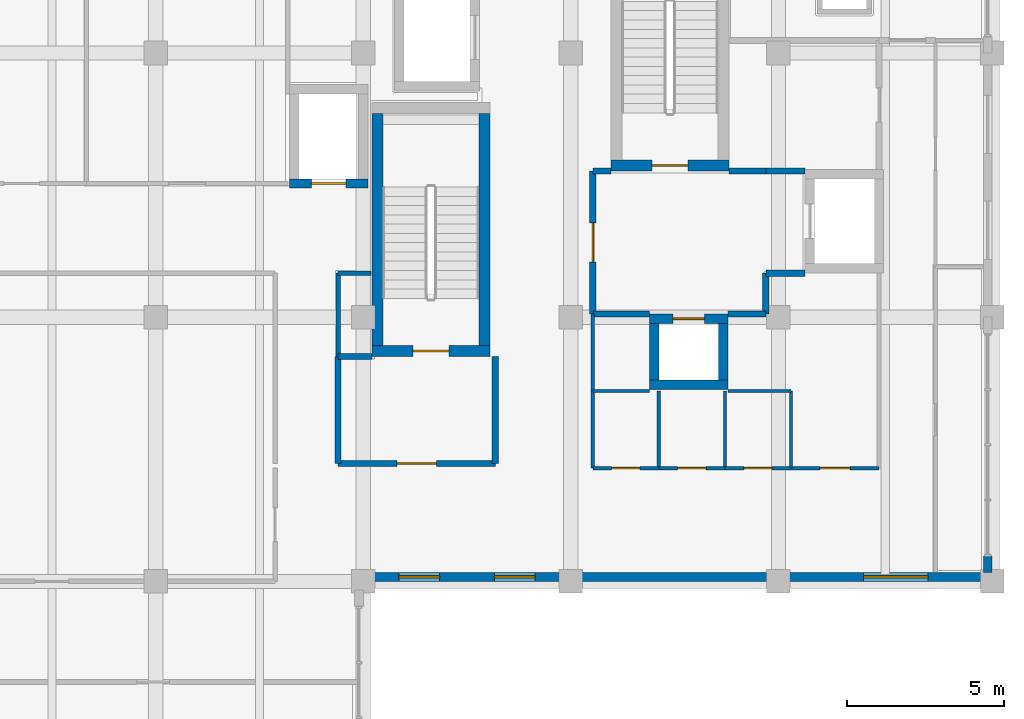
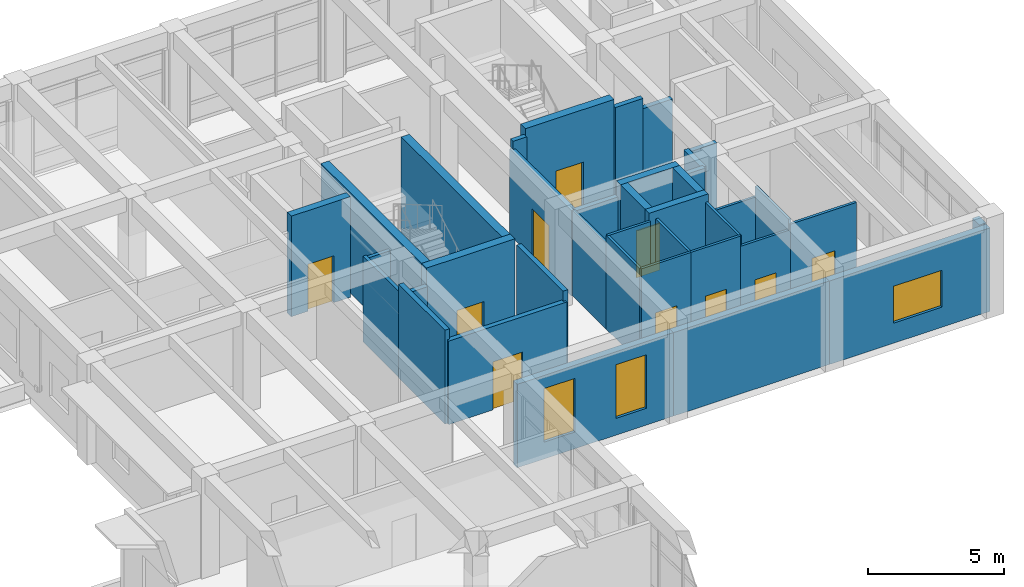
# One storey, part 33 of 50: 38 walls, 10 doors, 3 windows, 13 openings.
"""IFC4 building model written with IfcOpenShell, lengths in metres."""

from ifc_helpers import new_model, si_unit, direction, frame, frame_2d, origin, place, context, subcontext, project, spatial, rectangle, extrude, material, layer, layer_set, type_object, element, fill, save


model = new_model("IFC4")

# Units and contexts
model_context = context("Model", 3, precision=1e-05, world=origin(), true_north=direction((0.0, 1.0)))
body_context = subcontext(model_context, "Body", "Model", "MODEL_VIEW")
ifc_project = project(units=[si_unit("LENGTHUNIT", "METRE"), si_unit("AREAUNIT", "SQUARE_METRE"), si_unit("VOLUMEUNIT", "CUBIC_METRE"), si_unit("PLANEANGLEUNIT", "RADIAN"), si_unit("MASSUNIT", "GRAM", prefix="KILO")], contexts=[model_context])

# Site, building, storey
site_placement = place(None, origin())
site = spatial("IfcSite", under=ifc_project, at=site_placement, CompositionType="ELEMENT")
building_placement = place(site_placement, origin())
building = spatial("IfcBuilding", under=site, at=building_placement, Name="Kolvaren Faculty of Natural Sciences", CompositionType="ELEMENT")
storey_placement = place(building_placement, frame((0.0, 0.0, 15.0)))
storey = spatial("IfcBuildingStorey", under=building, at=storey_placement, Name="L03", CompositionType="ELEMENT", Elevation=15.0)

# Walls
ifc_material_1 = material(Name="Acoustic mineral-wool insulated gypsum partition")
ifc_layer_1 = layer(ifc_material_1, 0.14501953125)
ifc_layer_set_1 = layer_set([ifc_layer_1], Name="Acoustic mineral-wool insulated gypsum partition")
wall_type_1 = type_object("IfcWallType", Name="CommonsPartitionWall_145", PredefinedType="PARTITIONING", material=ifc_layer_set_1)
wall_1_placement = place(storey_placement, frame((151.199951171875, 66.14990234375, 0.0), z_axis=(0.0, 0.0, 1.0), x_axis=(0.0, 1.0, 0.0)))
element("IfcWall", 1, at=wall_1_placement, inside=storey, type_object=wall_type_1, Name="L03 interior partition PW-145", PredefinedType="PARTITIONING", context=body_context, shape_type="SweptSolid", body=[
    extrude(rectangle(XDim=2.650146484375, YDim=0.14501953125, at=frame_2d((1.3251953125, 0.0))), origin(), (0.0, 0.0, 1.0), 3.8349609375),
])
wall_2_placement = place(storey_placement, frame((151.199951171875, 68.800048828125, 0.0), z_axis=(0.0, 0.0, 1.0), x_axis=(1.0, 0.0, 0.0)))
element("IfcWall", 2, at=wall_2_placement, inside=storey, type_object=wall_type_1, Name="L03 interior partition PW-145", PredefinedType="PARTITIONING", context=body_context, shape_type="SweptSolid", body=[
    extrude(rectangle(XDim=1.050048828125, YDim=0.14501953125, at=frame_2d((0.52490234375, 0.0))), origin(), (0.0, 0.0, 1.0), 3.735107421875),
])

# Wall, opening, door
ifc_material_2 = material(Name="Concrete C40/50", Category="concrete")
ifc_layer_2 = layer(ifc_material_2, 0.35009765625)
ifc_layer_set_2 = layer_set([ifc_layer_2], Name="Concrete C40/50")
wall_type_2 = type_object("IfcWallType", Name="CoreShearWall_350", PredefinedType="SHEAR", material=ifc_layer_set_2)
wall_3_placement = place(storey_placement, frame((159.875, 72.22509765625, 0.0), z_axis=(0.0, 0.0, 1.0), x_axis=(1.0, 0.0, 0.0)))
wall_3 = element("IfcWall", 3, at=wall_3_placement, inside=storey, type_object=wall_type_2, Name="L03 CORE-C1 stair shear wall S", PredefinedType="SHEAR", context=body_context, shape_type="SweptSolid", body=[
    extrude(rectangle(XDim=3.75, YDim=0.35009765625, at=frame_2d((1.875, 0.0))), origin(), (0.0, 0.0, 1.0), 4.5),
])
opening_1_placement = place(wall_3_placement, frame((1.300048828125, 0.0, 0.0)))
opening_1 = element("IfcOpeningElement", 4, at=opening_1_placement, cuts=wall_3, Name="Opening FD90", PredefinedType="OPENING", context=body_context, shape_type="SweptSolid", body=[
    extrude(rectangle(XDim=1.14990234375, YDim=2.14990234375, at=frame_2d((0.574951171875, 1.074951171875))), frame((0.0, 0.18505859375, 0.0), z_axis=(0.0, -1.0, 0.0), x_axis=(1.0, 0.0, 0.0)), (0.0, 0.0, 1.0), 0.3701171875),
])
ifc_material_3 = material(Name="Fire-rated solid-core hardwood door leaf in steel frame", Category="steel")
door_type_1 = type_object("IfcDoorType", Name="StairCoreFireDoor_1150x2150", OperationType="NOTDEFINED", PredefinedType="DOOR", material=ifc_material_3)
door_1_placement = place(opening_1_placement, origin())
door_1 = element("IfcDoor", 5, at=door_1_placement, inside=storey, type_object=door_type_1, Name="D-ST-ST-1-L03", OperationType="SINGLE_SWING_LEFT", OverallHeight=2.14990234375, OverallWidth=1.14990234375, PredefinedType="DOOR", context=body_context, shape_type="SweptSolid", body=[
    extrude(rectangle(XDim=1.14990234375, YDim=2.14990234375, at=frame_2d((0.574951171875, 1.074951171875))), frame((0.0, 0.02490234375, 0.0), z_axis=(0.0, -1.0, 0.0), x_axis=(1.0, 0.0, 0.0)), (0.0, 0.0, 1.0), 0.050048828125),
])
fill(opening_1, door_1)

wall_4_placement = place(storey_placement, frame((152.27490234375, 66.324951171875, 0.0), z_axis=(0.0, 0.0, 1.0), x_axis=(1.0, 0.0, 0.0)))
wall_4 = element("IfcWall", 6, at=wall_4_placement, inside=storey, type_object=wall_type_2, Name="L03 CORE-C2 stair shear wall S", PredefinedType="SHEAR", context=body_context, shape_type="SweptSolid", body=[
    extrude(rectangle(XDim=3.75, YDim=0.35009765625, at=frame_2d((1.875, 0.0))), origin(), (0.0, 0.0, 1.0), 4.5),
])
opening_2_placement = place(wall_4_placement, frame((1.300048828125, 0.0, 0.0)))
opening_2 = element("IfcOpeningElement", 7, at=opening_2_placement, cuts=wall_4, Name="Opening FD90", PredefinedType="OPENING", context=body_context, shape_type="SweptSolid", body=[
    extrude(rectangle(XDim=1.14990234375, YDim=2.14990234375, at=frame_2d((0.574951171875, 1.074951171875))), frame((0.0, 0.18505859375, 0.0), z_axis=(0.0, -1.0, 0.0), x_axis=(1.0, 0.0, 0.0)), (0.0, 0.0, 1.0), 0.3701171875),
])
door_2_placement = place(opening_2_placement, origin())
door_2 = element("IfcDoor", 8, at=door_2_placement, inside=storey, type_object=door_type_1, Name="D-ST-ST-2-L03", OperationType="SINGLE_SWING_LEFT", OverallHeight=2.14990234375, OverallWidth=1.14990234375, PredefinedType="DOOR", context=body_context, shape_type="SweptSolid", body=[
    extrude(rectangle(XDim=1.14990234375, YDim=2.14990234375, at=frame_2d((0.574951171875, 1.074951171875))), frame((0.0, 0.02490234375, 0.0), z_axis=(0.0, -1.0, 0.0), x_axis=(1.0, 0.0, 0.0)), (0.0, 0.0, 1.0), 0.050048828125),
])
fill(opening_2, door_2)

# Walls
for number, where, z_axis, x_axis, name in (
    (9, (152.449951171875, 66.5, 0.0), (0.0, 0.0, 1.0), (0.0, 1.0, 0.0), "L03 CORE-C2 stair shear wall W"),
    (10, (155.85009765625, 66.5, 0.0), (0.0, 0.0, 1.0), (0.0, 1.0, 0.0), "L03 CORE-C2 stair shear wall E"),
):
    element("IfcWall", number, at=place(storey_placement, frame(where, z_axis=z_axis, x_axis=x_axis)), inside=storey, type_object=wall_type_2, Name=name, PredefinedType="SHEAR", context=body_context, shape_type="SweptSolid", body=[
        extrude(rectangle(XDim=7.375, YDim=0.35009765625, at=frame_2d((3.6875, 0.0))), origin(), (0.0, 0.0, 1.0), 4.5),
    ])
ifc_material_4 = material(Name="Precast concrete C35/45", Category="concrete")
ifc_layer_3 = layer(ifc_material_4, 0.280029296875)
ifc_layer_set_3 = layer_set([ifc_layer_3], Name="Precast concrete C35/45")
wall_type_3 = type_object("IfcWallType", Name="ExteriorPrecastWall_280", PredefinedType="STANDARD", material=ifc_layer_set_3)
wall_5_placement = place(storey_placement, frame((171.860107421875, 59.800048828125, 0.0), z_axis=(0.0, 0.0, 1.0), x_axis=(0.0, -1.0, 0.0)))
element("IfcWall", 11, at=wall_5_placement, inside=storey, type_object=wall_type_3, Name="L03 curtain-wall pier stub 523", PredefinedType="STANDARD", context=body_context, shape_type="SweptSolid", body=[
    extrude(rectangle(XDim=0.52001953125, YDim=0.280029296875, at=frame_2d((0.260009765625, 0.0))), origin(), (0.0, 0.0, 1.0), 3.784912109375),
])

# Wall, opening, window
wall_6_placement = place(storey_placement, frame((172.0, 59.139892578125, 0.0), z_axis=(0.0, 0.0, 1.0), x_axis=(-1.0, 0.0, 0.0)))
wall_6 = element("IfcWall", 12, at=wall_6_placement, inside=storey, type_object=wall_type_3, Name="L03 exterior masonry wall EW-280 (524)", PredefinedType="STANDARD", context=body_context, shape_type="SweptSolid", body=[
    extrude(rectangle(XDim=6.800048828125, YDim=0.280029296875, at=frame_2d((3.39990234375, 0.0))), origin(), (0.0, 0.0, 1.0), 3.735107421875),
])
opening_3_placement = place(wall_6_placement, frame((2.0400390625, 0.0, 0.89990234375)))
opening_3 = element("IfcOpeningElement", 13, at=opening_3_placement, cuts=wall_6, Name="Opening WIN-17", PredefinedType="OPENING", context=body_context, shape_type="SweptSolid", body=[
    extrude(rectangle(XDim=2.050048828125, YDim=1.64990234375, at=frame_2d((1.02490234375, 0.824951171875))), frame((0.0, 0.14990234375, 0.0), z_axis=(0.0, -1.0, 0.0), x_axis=(1.0, 0.0, 0.0)), (0.0, 0.0, 1.0), 0.300048828125),
])
ifc_material_5 = material(Name="Double low-E solar control insulated glazing", Category="glass")
window_type_1 = type_object("IfcWindowType", Name="AluWindow_WIN17_2050x1650", PartitioningType="SINGLE_PANEL", PredefinedType="WINDOW", material=ifc_material_5)
window_1_placement = place(opening_3_placement, origin())
window_1 = element("IfcWindow", 14, at=window_1_placement, inside=storey, type_object=window_type_1, Name="WIN-L03-0331", OverallHeight=1.64990234375, OverallWidth=2.050048828125, PartitioningType="SINGLE_PANEL", PredefinedType="WINDOW", context=body_context, shape_type="SweptSolid", body=[
    extrude(rectangle(XDim=2.050048828125, YDim=1.64990234375, at=frame_2d((1.02490234375, 0.824951171875))), frame((0.0, 0.030029296875, 0.0), z_axis=(0.0, -1.0, 0.0), x_axis=(1.0, 0.0, 0.0)), (0.0, 0.0, 1.0), 0.06005859375),
])
fill(opening_3, window_1)

# Wall
wall_7_placement = place(storey_placement, frame((165.199951171875, 59.139892578125, 0.0), z_axis=(0.0, 0.0, 1.0), x_axis=(-1.0, 0.0, 0.0)))
element("IfcWall", 15, at=wall_7_placement, inside=storey, type_object=wall_type_3, Name="L03 exterior masonry wall EW-280 (525)", PredefinedType="STANDARD", context=body_context, shape_type="SweptSolid", body=[
    extrude(rectangle(XDim=6.599853515625, YDim=0.280029296875, at=frame_2d((3.2998046875, 0.0))), origin(), (0.0, 0.0, 1.0), 3.735107421875),
])

# Wall, openings, windows
wall_8_placement = place(storey_placement, frame((158.60009765625, 59.139892578125, 0.0), z_axis=(0.0, 0.0, 1.0), x_axis=(-1.0, 0.0, 0.0)))
wall_8 = element("IfcWall", 16, at=wall_8_placement, inside=storey, type_object=wall_type_3, Name="L03 exterior masonry wall EW-280 (526)", PredefinedType="STANDARD", context=body_context, shape_type="SweptSolid", body=[
    extrude(rectangle(XDim=6.60009765625, YDim=0.280029296875, at=frame_2d((3.300048828125, 0.0))), origin(), (0.0, 0.0, 1.0), 3.735107421875),
])
opening_4_placement = place(wall_8_placement, frame((1.132080078125, 0.0, 0.75)))
opening_4 = element("IfcOpeningElement", 17, at=opening_4_placement, cuts=wall_8, Name="Opening WIN-19", PredefinedType="OPENING", context=body_context, shape_type="SweptSolid", body=[
    extrude(rectangle(XDim=1.300048828125, YDim=2.39990234375, at=frame_2d((0.64990234375, 1.199951171875))), frame((0.0, 0.14990234375, 0.0), z_axis=(0.0, -1.0, 0.0), x_axis=(1.0, 0.0, 0.0)), (0.0, 0.0, 1.0), 0.300048828125),
])
opening_5_placement = place(wall_8_placement, frame((4.16796875, 0.0, 0.75)))
opening_5 = element("IfcOpeningElement", 18, at=opening_5_placement, cuts=wall_8, Name="Opening WIN-19", PredefinedType="OPENING", context=body_context, shape_type="SweptSolid", body=[
    extrude(rectangle(XDim=1.300048828125, YDim=2.39990234375, at=frame_2d((0.64990234375, 1.199951171875))), frame((0.0, 0.14990234375, 0.0), z_axis=(0.0, -1.0, 0.0), x_axis=(1.0, 0.0, 0.0)), (0.0, 0.0, 1.0), 0.300048828125),
])
window_type_2 = type_object("IfcWindowType", Name="AluWindow_WIN19_1300x2400", PartitioningType="SINGLE_PANEL", PredefinedType="WINDOW", material=ifc_material_5)
window_2_placement = place(opening_4_placement, origin())
window_2 = element("IfcWindow", 19, at=window_2_placement, inside=storey, type_object=window_type_2, Name="WIN-L03-0332", OverallHeight=2.39990234375, OverallWidth=1.300048828125, PartitioningType="SINGLE_PANEL", PredefinedType="WINDOW", context=body_context, shape_type="SweptSolid", body=[
    extrude(rectangle(XDim=1.300048828125, YDim=2.39990234375, at=frame_2d((0.64990234375, 1.199951171875))), frame((0.0, 0.030029296875, 0.0), z_axis=(0.0, -1.0, 0.0), x_axis=(1.0, 0.0, 0.0)), (0.0, 0.0, 1.0), 0.06005859375),
])
fill(opening_4, window_2)
window_3_placement = place(opening_5_placement, origin())
window_3 = element("IfcWindow", 20, at=window_3_placement, inside=storey, type_object=window_type_2, Name="WIN-L03-0333", OverallHeight=2.39990234375, OverallWidth=1.300048828125, PartitioningType="SINGLE_PANEL", PredefinedType="WINDOW", context=body_context, shape_type="SweptSolid", body=[
    extrude(rectangle(XDim=1.300048828125, YDim=2.39990234375, at=frame_2d((0.64990234375, 1.199951171875))), frame((0.0, 0.030029296875, 0.0), z_axis=(0.0, -1.0, 0.0), x_axis=(1.0, 0.0, 0.0)), (0.0, 0.0, 1.0), 0.06005859375),
])
fill(opening_5, window_3)

# Walls
ifc_material_6 = material(Name="Autoclaved aerated fire-rated masonry blockwork", Category="masonry")
ifc_layer_4 = layer(ifc_material_6, 0.199951171875)
ifc_layer_set_4 = layer_set([ifc_layer_4], Name="Autoclaved aerated fire-rated masonry blockwork")
wall_type_4 = type_object("IfcWallType", Name="FireLobbyWall_200", PredefinedType="PARTITIONING", material=ifc_layer_set_4)
wall_9_placement = place(storey_placement, frame((159.300048828125, 72.050048828125, 0.0), z_axis=(0.0, 0.0, 1.0), x_axis=(1.0, 0.0, 0.0)))
element("IfcWall", 21, at=wall_9_placement, inside=storey, type_object=wall_type_4, Name="L03 interior partition FW-200", PredefinedType="PARTITIONING", context=body_context, shape_type="SweptSolid", body=[
    extrude(rectangle(XDim=0.574951171875, YDim=0.199951171875, at=frame_2d((0.28759765625, 0.0))), origin(), (0.0, 0.0, 1.0), 4.195068359375),
])
wall_10_placement = place(storey_placement, frame((163.625, 72.050048828125, 0.0), z_axis=(0.0, 0.0, 1.0), x_axis=(1.0, 0.0, 0.0)))
element("IfcWall", 22, at=wall_10_placement, inside=storey, type_object=wall_type_4, Name="L03 interior partition FW-200", PredefinedType="PARTITIONING", context=body_context, shape_type="SweptSolid", body=[
    extrude(rectangle(XDim=1.175048828125, YDim=0.199951171875, at=frame_2d((0.58740234375, 0.0))), origin(), (0.0, 0.0, 1.0), 4.195068359375),
])
for number, where, z_axis, x_axis, name in (
    (23, (164.800048828125, 72.050048828125, 0.0), (0.0, 0.0, 1.0), (1.0, 0.0, 0.0), "L03 interior partition FW-200"),
    (24, (166.050048828125, 68.800048828125, 0.0), (0.0, 0.0, 1.0), (-1.0, 0.0, 0.0), "L03 interior partition FW-200"),
):
    element("IfcWall", number, at=place(storey_placement, frame(where, z_axis=z_axis, x_axis=x_axis)), inside=storey, type_object=wall_type_4, Name=name, PredefinedType="PARTITIONING", context=body_context, shape_type="SweptSolid", body=[
        extrude(rectangle(XDim=1.25, YDim=0.199951171875, at=frame_2d((0.625, 0.0))), origin(), (0.0, 0.0, 1.0), 3.735107421875),
    ])
wall_11_placement = place(storey_placement, frame((164.800048828125, 68.800048828125, 0.0), z_axis=(0.0, 0.0, 1.0), x_axis=(0.0, -1.0, 0.0)))
element("IfcWall", 25, at=wall_11_placement, inside=storey, type_object=wall_type_4, Name="L03 interior partition FW-200", PredefinedType="PARTITIONING", context=body_context, shape_type="SweptSolid", body=[
    extrude(rectangle(XDim=1.300048828125, YDim=0.199951171875, at=frame_2d((0.64990234375, 0.0))), origin(), (0.0, 0.0, 1.0), 3.8349609375),
])
wall_12_placement = place(storey_placement, frame((164.800048828125, 67.5, 0.0), z_axis=(0.0, 0.0, 1.0), x_axis=(-1.0, 0.0, 0.0)))
element("IfcWall", 26, at=wall_12_placement, inside=storey, type_object=wall_type_4, Name="L03 interior partition FW-200", PredefinedType="PARTITIONING", context=body_context, shape_type="SweptSolid", body=[
    extrude(rectangle(XDim=1.199951171875, YDim=0.199951171875, at=frame_2d((0.60009765625, 0.0))), origin(), (0.0, 0.0, 1.0), 3.8349609375),
])
wall_13_placement = place(storey_placement, frame((161.10009765625, 67.5, 0.0), z_axis=(0.0, 0.0, 1.0), x_axis=(-1.0, 0.0, 0.0)))
element("IfcWall", 27, at=wall_13_placement, inside=storey, type_object=wall_type_4, Name="L03 interior partition FW-200", PredefinedType="PARTITIONING", context=body_context, shape_type="SweptSolid", body=[
    extrude(rectangle(XDim=1.800048828125, YDim=0.199951171875, at=frame_2d((0.89990234375, 0.0))), origin(), (0.0, 0.0, 1.0), 3.8349609375),
])

# Wall, opening, door
wall_14_placement = place(storey_placement, frame((159.300048828125, 67.5, 0.0), z_axis=(0.0, 0.0, 1.0), x_axis=(0.0, 1.0, 0.0)))
wall_14 = element("IfcWall", 28, at=wall_14_placement, inside=storey, type_object=wall_type_4, Name="L03 interior partition FW-200", PredefinedType="PARTITIONING", context=body_context, shape_type="SweptSolid", body=[
    extrude(rectangle(XDim=4.550048828125, YDim=0.199951171875, at=frame_2d((2.27490234375, 0.0))), origin(), (0.0, 0.0, 1.0), 3.8349609375),
])
opening_6_placement = place(wall_14_placement, frame((1.64990234375, 0.0, 0.0)))
opening_6 = element("IfcOpeningElement", 29, at=opening_6_placement, cuts=wall_14, Name="Opening FD60", PredefinedType="OPENING", context=body_context, shape_type="SweptSolid", body=[
    extrude(rectangle(XDim=1.25, YDim=2.14990234375, at=frame_2d((0.625, 1.074951171875))), frame((0.0, 0.10986328125, 0.0), z_axis=(0.0, -1.0, 0.0), x_axis=(1.0, 0.0, 0.0)), (0.0, 0.0, 1.0), 0.219970703125),
])
door_type_2 = type_object("IfcDoorType", Name="RescueLobbyFireDoor_1250x2150", OperationType="NOTDEFINED", PredefinedType="DOOR", material=ifc_material_3)
door_3_placement = place(opening_6_placement, origin())
door_3 = element("IfcDoor", 30, at=door_3_placement, inside=storey, type_object=door_type_2, Name="D-L03-0222", OperationType="SINGLE_SWING_LEFT", OverallHeight=2.14990234375, OverallWidth=1.25, PredefinedType="DOOR", context=body_context, shape_type="SweptSolid", body=[
    extrude(rectangle(XDim=1.25, YDim=2.14990234375, at=frame_2d((0.625, 1.074951171875))), frame((0.0, 0.02490234375, 0.0), z_axis=(0.0, -1.0, 0.0), x_axis=(1.0, 0.0, 0.0)), (0.0, 0.0, 1.0), 0.050048828125),
])
fill(opening_6, door_3)

# Walls
wall_15_placement = place(storey_placement, frame((151.199951171875, 66.14990234375, 0.0), z_axis=(0.0, 0.0, 1.0), x_axis=(1.0, 0.0, 0.0)))
element("IfcWall", 31, at=wall_15_placement, inside=storey, type_object=wall_type_4, Name="L03 interior partition FW-200", PredefinedType="PARTITIONING", context=body_context, shape_type="SweptSolid", body=[
    extrude(rectangle(XDim=1.074951171875, YDim=0.199951171875, at=frame_2d((0.53759765625, 0.0))), origin(), (0.0, 0.0, 1.0), 3.735107421875),
])
wall_16_placement = place(storey_placement, frame((156.199951171875, 66.14990234375, 0.0), z_axis=(0.0, 0.0, 1.0), x_axis=(0.0, -1.0, 0.0)))
element("IfcWall", 32, at=wall_16_placement, inside=storey, type_object=wall_type_4, Name="L03 interior partition FW-200", PredefinedType="PARTITIONING", context=body_context, shape_type="SweptSolid", body=[
    extrude(rectangle(XDim=3.39990234375, YDim=0.199951171875, at=frame_2d((1.699951171875, 0.0))), origin(), (0.0, 0.0, 1.0), 4.195068359375),
])

# Wall, opening, door
wall_17_placement = place(storey_placement, frame((156.199951171875, 62.75, 0.0), z_axis=(0.0, 0.0, 1.0), x_axis=(-1.0, 0.0, 0.0)))
wall_17 = element("IfcWall", 33, at=wall_17_placement, inside=storey, type_object=wall_type_4, Name="L03 interior partition FW-200", PredefinedType="PARTITIONING", context=body_context, shape_type="SweptSolid", body=[
    extrude(rectangle(XDim=5.0, YDim=0.199951171875, at=frame_2d((2.5, 0.0))), origin(), (0.0, 0.0, 1.0), 3.735107421875),
])
opening_7_placement = place(wall_17_placement, frame((1.875, 0.0, 0.0)))
opening_7 = element("IfcOpeningElement", 34, at=opening_7_placement, cuts=wall_17, Name="Opening FD60", PredefinedType="OPENING", context=body_context, shape_type="SweptSolid", body=[
    extrude(rectangle(XDim=1.25, YDim=2.14990234375, at=frame_2d((0.625, 1.074951171875))), frame((0.0, 0.10986328125, 0.0), z_axis=(0.0, -1.0, 0.0), x_axis=(1.0, 0.0, 0.0)), (0.0, 0.0, 1.0), 0.219970703125),
])
door_4_placement = place(opening_7_placement, origin())
door_4 = element("IfcDoor", 35, at=door_4_placement, inside=storey, type_object=door_type_2, Name="D-L03-0223", OperationType="SINGLE_SWING_RIGHT", OverallHeight=2.14990234375, OverallWidth=1.25, PredefinedType="DOOR", context=body_context, shape_type="SweptSolid", body=[
    extrude(rectangle(XDim=1.25, YDim=2.14990234375, at=frame_2d((0.625, 1.074951171875))), frame((0.0, 0.02490234375, 0.0), z_axis=(0.0, -1.0, 0.0), x_axis=(1.0, 0.0, 0.0)), (0.0, 0.0, 1.0), 0.050048828125),
])
fill(opening_7, door_4)

# Walls
wall_18_placement = place(storey_placement, frame((151.199951171875, 62.75, 0.0), z_axis=(0.0, 0.0, 1.0), x_axis=(0.0, 1.0, 0.0)))
element("IfcWall", 36, at=wall_18_placement, inside=storey, type_object=wall_type_4, Name="L03 interior partition FW-200", PredefinedType="PARTITIONING", context=body_context, shape_type="SweptSolid", body=[
    extrude(rectangle(XDim=3.39990234375, YDim=0.199951171875, at=frame_2d((1.699951171875, 0.0))), origin(), (0.0, 0.0, 1.0), 4.195068359375),
])
ifc_layer_5 = layer(ifc_material_2, 0.300048828125)
ifc_layer_set_5 = layer_set([ifc_layer_5], Name="Concrete C40/50")
wall_type_5 = type_object("IfcWallType", Name="ShaftShearWall_300", PredefinedType="SHEAR", material=ifc_layer_set_5)
wall_19_placement = place(storey_placement, frame((161.10009765625, 65.25, 0.0), z_axis=(0.0, 0.0, 1.0), x_axis=(1.0, 0.0, 0.0)))
element("IfcWall", 37, at=wall_19_placement, inside=storey, type_object=wall_type_5, Name="L03 lift PL-1 shaft wall S", PredefinedType="SHEAR", context=body_context, shape_type="SweptSolid", body=[
    extrude(rectangle(XDim=2.5, YDim=0.300048828125, at=frame_2d((1.25, 0.0))), origin(), (0.0, 0.0, 1.0), 4.5),
])

# Wall, opening, door
wall_20_placement = place(storey_placement, frame((161.10009765625, 67.35009765625, 0.0), z_axis=(0.0, 0.0, 1.0), x_axis=(1.0, 0.0, 0.0)))
wall_20 = element("IfcWall", 38, at=wall_20_placement, inside=storey, type_object=wall_type_5, Name="L03 lift PL-1 shaft wall N", PredefinedType="SHEAR", context=body_context, shape_type="SweptSolid", body=[
    extrude(rectangle(XDim=2.5, YDim=0.300048828125, at=frame_2d((1.25, 0.0))), origin(), (0.0, 0.0, 1.0), 4.5),
])
opening_8_placement = place(wall_20_placement, frame((0.75, 0.0, 0.0)))
opening_8 = element("IfcOpeningElement", 39, at=opening_8_placement, cuts=wall_20, Name="Opening LD-02", PredefinedType="OPENING", context=body_context, shape_type="SweptSolid", body=[
    extrude(rectangle(XDim=1.0, YDim=2.10009765625, at=frame_2d((0.5, 1.050048828125))), frame((0.0, 0.159912109375, 0.0), z_axis=(0.0, -1.0, 0.0), x_axis=(1.0, 0.0, 0.0)), (0.0, 0.0, 1.0), 0.320068359375),
])
ifc_material_7 = material(Name="Brushed stainless steel lift car and sliding door assembly", Category="steel")
door_type_3 = type_object("IfcDoorType", Name="LiftLandingSliding_1000x2100", OperationType="SLIDING_TO_LEFT", PredefinedType="DOOR", material=ifc_material_7)
door_5_placement = place(opening_8_placement, origin())
door_5 = element("IfcDoor", 40, at=door_5_placement, inside=storey, type_object=door_type_3, Name="D-LIFT-PL-1-L03", OperationType="SLIDING_TO_LEFT", OverallHeight=2.10009765625, OverallWidth=1.0, PredefinedType="DOOR", context=body_context, shape_type="SweptSolid", body=[
    extrude(rectangle(XDim=1.0, YDim=2.10009765625, at=frame_2d((0.5, 1.050048828125))), frame((0.0, 0.02490234375, 0.0), z_axis=(0.0, -1.0, 0.0), x_axis=(1.0, 0.0, 0.0)), (0.0, 0.0, 1.0), 0.050048828125),
])
fill(opening_8, door_5)

# Walls
for number, where, z_axis, x_axis, name in (
    (41, (161.25, 65.39990234375, 0.0), (0.0, 0.0, 1.0), (0.0, 1.0, 0.0), "L03 lift PL-1 shaft wall W"),
    (42, (163.449951171875, 65.39990234375, 0.0), (0.0, 0.0, 1.0), (0.0, 1.0, 0.0), "L03 lift PL-1 shaft wall E"),
):
    element("IfcWall", number, at=place(storey_placement, frame(where, z_axis=z_axis, x_axis=x_axis)), inside=storey, type_object=wall_type_5, Name=name, PredefinedType="SHEAR", context=body_context, shape_type="SweptSolid", body=[
        extrude(rectangle(XDim=1.800048828125, YDim=0.300048828125, at=frame_2d((0.89990234375, 0.0))), origin(), (0.0, 0.0, 1.0), 4.5),
    ])

# Wall, opening, door
wall_21_placement = place(storey_placement, frame((149.64990234375, 71.64990234375, 0.0), z_axis=(0.0, 0.0, 1.0), x_axis=(1.0, 0.0, 0.0)))
wall_21 = element("IfcWall", 43, at=wall_21_placement, inside=storey, type_object=wall_type_5, Name="L03 lift FL-2 shaft wall S", PredefinedType="SHEAR", context=body_context, shape_type="SweptSolid", body=[
    extrude(rectangle(XDim=2.5, YDim=0.300048828125, at=frame_2d((1.25, 0.0))), origin(), (0.0, 0.0, 1.0), 4.5),
])
opening_9_placement = place(wall_21_placement, frame((0.699951171875, 0.0, 0.0)))
opening_9 = element("IfcOpeningElement", 44, at=opening_9_placement, cuts=wall_21, Name="Opening LD-01", PredefinedType="OPENING", context=body_context, shape_type="SweptSolid", body=[
    extrude(rectangle(XDim=1.10009765625, YDim=2.10009765625, at=frame_2d((0.550048828125, 1.050048828125))), frame((0.0, 0.159912109375, 0.0), z_axis=(0.0, -1.0, 0.0), x_axis=(1.0, 0.0, 0.0)), (0.0, 0.0, 1.0), 0.320068359375),
])
door_type_4 = type_object("IfcDoorType", Name="LiftLandingSliding_1100x2100", OperationType="DOUBLE_DOOR_SLIDING", PredefinedType="DOOR", material=ifc_material_7)
door_6_placement = place(opening_9_placement, origin())
door_6 = element("IfcDoor", 45, at=door_6_placement, inside=storey, type_object=door_type_4, Name="D-LIFT-FL-2-L03", OperationType="DOUBLE_DOOR_SLIDING", OverallHeight=2.10009765625, OverallWidth=1.10009765625, PredefinedType="DOOR", context=body_context, shape_type="SweptSolid", body=[
    extrude(rectangle(XDim=1.10009765625, YDim=2.10009765625, at=frame_2d((0.550048828125, 1.050048828125))), frame((0.0, 0.02490234375, 0.0), z_axis=(0.0, -1.0, 0.0), x_axis=(1.0, 0.0, 0.0)), (0.0, 0.0, 1.0), 0.050048828125),
])
fill(opening_9, door_6)

ifc_layer_6 = layer(ifc_material_1, 0.114990234375)
ifc_layer_set_6 = layer_set([ifc_layer_6], Name="Acoustic mineral-wool insulated gypsum partition")
wall_type_6 = type_object("IfcWallType", Name="StorePartitionWall_115", PredefinedType="PARTITIONING", material=ifc_layer_set_6)
wall_22_placement = place(storey_placement, frame((168.39990234375, 62.60009765625, 0.0), z_axis=(0.0, 0.0, 1.0), x_axis=(-1.0, 0.0, 0.0)))
wall_22 = element("IfcWall", 46, at=wall_22_placement, inside=storey, type_object=wall_type_6, Name="L03 interior partition PW-115", PredefinedType="PARTITIONING", context=body_context, shape_type="SweptSolid", body=[
    extrude(rectangle(XDim=2.7998046875, YDim=0.114990234375, at=frame_2d((1.39990234375, 0.0))), origin(), (0.0, 0.0, 1.0), 3.985107421875),
])
opening_10_placement = place(wall_22_placement, frame((0.919921875, 0.0, 0.0)))
opening_10 = element("IfcOpeningElement", 47, at=opening_10_placement, cuts=wall_22, Name="Opening ID-20", PredefinedType="OPENING", context=body_context, shape_type="SweptSolid", body=[
    extrude(rectangle(XDim=0.9599609375, YDim=2.139892578125, at=frame_2d((0.47998046875, 1.06982421875))), frame((0.0, 0.0673828125, 0.0), z_axis=(0.0, -1.0, 0.0), x_axis=(1.0, 0.0, 0.0)), (0.0, 0.0, 1.0), 0.135009765625),
])
ifc_material_8 = material(Name="Solid-core hardwood veneer door leaf in steel frame", Category="steel")
door_type_5 = type_object("IfcDoorType", Name="InteriorRoomDoor_960x2140", OperationType="NOTDEFINED", PredefinedType="DOOR", material=ifc_material_8)
door_7_placement = place(opening_10_placement, origin())
door_7 = element("IfcDoor", 48, at=door_7_placement, inside=storey, type_object=door_type_5, Name="D-L03-0255", OperationType="SINGLE_SWING_RIGHT", OverallHeight=2.139892578125, OverallWidth=0.9599609375, PredefinedType="DOOR", context=body_context, shape_type="SweptSolid", body=[
    extrude(rectangle(XDim=0.9599609375, YDim=2.139892578125, at=frame_2d((0.47998046875, 1.06982421875))), frame((0.0, 0.02490234375, 0.0), z_axis=(0.0, -1.0, 0.0), x_axis=(1.0, 0.0, 0.0)), (0.0, 0.0, 1.0), 0.050048828125),
])
fill(opening_10, door_7)

# Walls
wall_23_placement = place(storey_placement, frame((159.300048828125, 65.050048828125, 0.0), z_axis=(0.0, 0.0, 1.0), x_axis=(0.0, 1.0, 0.0)))
element("IfcWall", 49, at=wall_23_placement, inside=storey, type_object=wall_type_6, Name="L03 interior partition PW-115", PredefinedType="PARTITIONING", context=body_context, shape_type="SweptSolid", body=[
    extrude(rectangle(XDim=2.449951171875, YDim=0.114990234375, at=frame_2d((1.22509765625, 0.0))), origin(), (0.0, 0.0, 1.0), 3.8349609375),
])
ifc_layer_7 = layer(ifc_material_1, 0.10498046875)
ifc_layer_set_7 = layer_set([ifc_layer_7], Name="Acoustic mineral-wool insulated gypsum partition")
wall_type_7 = type_object("IfcWallType", Name="WetRoomPartition_105", PredefinedType="PARTITIONING", material=ifc_layer_set_7)
wall_24_placement = place(storey_placement, frame((159.300048828125, 65.050048828125, 0.0), z_axis=(0.0, 0.0, 1.0), x_axis=(1.0, 0.0, 0.0)))
element("IfcWall", 50, at=wall_24_placement, inside=storey, type_object=wall_type_7, Name="L03 interior partition PW-105", PredefinedType="PARTITIONING", context=body_context, shape_type="SweptSolid", body=[
    extrude(rectangle(XDim=1.800048828125, YDim=0.10498046875, at=frame_2d((0.89990234375, 0.0))), origin(), (0.0, 0.0, 1.0), 4.195068359375),
])
wall_25_placement = place(storey_placement, frame((161.39990234375, 65.050048828125, 0.0), z_axis=(0.0, 0.0, 1.0), x_axis=(0.0, -1.0, 0.0)))
element("IfcWall", 51, at=wall_25_placement, inside=storey, type_object=wall_type_7, Name="L03 interior partition PW-105", PredefinedType="PARTITIONING", context=body_context, shape_type="SweptSolid", body=[
    extrude(rectangle(XDim=2.449951171875, YDim=0.10498046875, at=frame_2d((1.22509765625, 0.0))), origin(), (0.0, 0.0, 1.0), 4.195068359375),
])

# Wall, opening, door
wall_26_placement = place(storey_placement, frame((161.39990234375, 62.60009765625, 0.0), z_axis=(0.0, 0.0, 1.0), x_axis=(-1.0, 0.0, 0.0)))
wall_26 = element("IfcWall", 52, at=wall_26_placement, inside=storey, type_object=wall_type_7, Name="L03 interior partition PW-105", PredefinedType="PARTITIONING", context=body_context, shape_type="SweptSolid", body=[
    extrude(rectangle(XDim=2.099853515625, YDim=0.10498046875, at=frame_2d((1.0498046875, 0.0))), origin(), (0.0, 0.0, 1.0), 4.195068359375),
])
opening_11_placement = place(wall_26_placement, frame((0.60009765625, 0.0, 0.0)))
opening_11 = element("IfcOpeningElement", 53, at=opening_11_placement, cuts=wall_26, Name="Opening ID-01", PredefinedType="OPENING", context=body_context, shape_type="SweptSolid", body=[
    extrude(rectangle(XDim=0.89990234375, YDim=2.02001953125, at=frame_2d((0.449951171875, 1.010009765625))), frame((0.0, 0.0625, 0.0), z_axis=(0.0, -1.0, 0.0), x_axis=(1.0, 0.0, 0.0)), (0.0, 0.0, 1.0), 0.125),
])
door_type_6 = type_object("IfcDoorType", Name="InteriorRoomDoor_900x2020", OperationType="NOTDEFINED", PredefinedType="DOOR", material=ifc_material_8)
door_8_placement = place(opening_11_placement, origin())
door_8 = element("IfcDoor", 54, at=door_8_placement, inside=storey, type_object=door_type_6, Name="D-L03-0228", OperationType="SINGLE_SWING_LEFT", OverallHeight=2.02001953125, OverallWidth=0.89990234375, PredefinedType="DOOR", context=body_context, shape_type="SweptSolid", body=[
    extrude(rectangle(XDim=0.89990234375, YDim=2.02001953125, at=frame_2d((0.449951171875, 1.010009765625))), frame((0.0, 0.02490234375, 0.0), z_axis=(0.0, -1.0, 0.0), x_axis=(1.0, 0.0, 0.0)), (0.0, 0.0, 1.0), 0.050048828125),
])
fill(opening_11, door_8)

# Walls
for number, where, z_axis, x_axis, name in (
    (55, (159.300048828125, 62.60009765625, 0.0), (0.0, 0.0, 1.0), (0.0, 1.0, 0.0), "L03 interior partition PW-105"),
    (56, (163.5, 65.050048828125, 0.0), (0.0, 0.0, 1.0), (0.0, -1.0, 0.0), "L03 interior partition PW-105"),
):
    element("IfcWall", number, at=place(storey_placement, frame(where, z_axis=z_axis, x_axis=x_axis)), inside=storey, type_object=wall_type_7, Name=name, PredefinedType="PARTITIONING", context=body_context, shape_type="SweptSolid", body=[
        extrude(rectangle(XDim=2.449951171875, YDim=0.10498046875, at=frame_2d((1.22509765625, 0.0))), origin(), (0.0, 0.0, 1.0), 4.195068359375),
    ])

# Wall, opening, door
wall_27_placement = place(storey_placement, frame((163.5, 62.60009765625, 0.0), z_axis=(0.0, 0.0, 1.0), x_axis=(-1.0, 0.0, 0.0)))
wall_27 = element("IfcWall", 57, at=wall_27_placement, inside=storey, type_object=wall_type_7, Name="L03 interior partition PW-105", PredefinedType="PARTITIONING", context=body_context, shape_type="SweptSolid", body=[
    extrude(rectangle(XDim=2.10009765625, YDim=0.10498046875, at=frame_2d((1.050048828125, 0.0))), origin(), (0.0, 0.0, 1.0), 4.195068359375),
])
opening_12_placement = place(wall_27_placement, frame((0.60009765625, 0.0, 0.0)))
opening_12 = element("IfcOpeningElement", 58, at=opening_12_placement, cuts=wall_27, Name="Opening ID-01", PredefinedType="OPENING", context=body_context, shape_type="SweptSolid", body=[
    extrude(rectangle(XDim=0.89990234375, YDim=2.02001953125, at=frame_2d((0.449951171875, 1.010009765625))), frame((0.0, 0.0625, 0.0), z_axis=(0.0, -1.0, 0.0), x_axis=(1.0, 0.0, 0.0)), (0.0, 0.0, 1.0), 0.125),
])
door_9_placement = place(opening_12_placement, origin())
door_9 = element("IfcDoor", 59, at=door_9_placement, inside=storey, type_object=door_type_6, Name="D-L03-0229", OperationType="SINGLE_SWING_RIGHT", OverallHeight=2.02001953125, OverallWidth=0.89990234375, PredefinedType="DOOR", context=body_context, shape_type="SweptSolid", body=[
    extrude(rectangle(XDim=0.89990234375, YDim=2.02001953125, at=frame_2d((0.449951171875, 1.010009765625))), frame((0.0, 0.02490234375, 0.0), z_axis=(0.0, -1.0, 0.0), x_axis=(1.0, 0.0, 0.0)), (0.0, 0.0, 1.0), 0.050048828125),
])
fill(opening_12, door_9)

# Walls
wall_28_placement = place(storey_placement, frame((163.60009765625, 65.050048828125, 0.0), z_axis=(0.0, 0.0, 1.0), x_axis=(1.0, 0.0, 0.0)))
element("IfcWall", 60, at=wall_28_placement, inside=storey, type_object=wall_type_7, Name="L03 interior partition PW-105", PredefinedType="PARTITIONING", context=body_context, shape_type="SweptSolid", body=[
    extrude(rectangle(XDim=2.0, YDim=0.10498046875, at=frame_2d((1.0, 0.0))), origin(), (0.0, 0.0, 1.0), 3.735107421875),
])
wall_29_placement = place(storey_placement, frame((165.60009765625, 65.050048828125, 0.0), z_axis=(0.0, 0.0, 1.0), x_axis=(0.0, -1.0, 0.0)))
element("IfcWall", 61, at=wall_29_placement, inside=storey, type_object=wall_type_7, Name="L03 interior partition PW-105", PredefinedType="PARTITIONING", context=body_context, shape_type="SweptSolid", body=[
    extrude(rectangle(XDim=2.449951171875, YDim=0.10498046875, at=frame_2d((1.22509765625, 0.0))), origin(), (0.0, 0.0, 1.0), 4.195068359375),
])

# Wall, opening, door
wall_30_placement = place(storey_placement, frame((165.60009765625, 62.60009765625, 0.0), z_axis=(0.0, 0.0, 1.0), x_axis=(-1.0, 0.0, 0.0)))
wall_30 = element("IfcWall", 62, at=wall_30_placement, inside=storey, type_object=wall_type_7, Name="L03 interior partition PW-105", PredefinedType="PARTITIONING", context=body_context, shape_type="SweptSolid", body=[
    extrude(rectangle(XDim=2.10009765625, YDim=0.10498046875, at=frame_2d((1.050048828125, 0.0))), origin(), (0.0, 0.0, 1.0), 3.735107421875),
])
opening_13_placement = place(wall_30_placement, frame((0.60009765625, 0.0, 0.0)))
opening_13 = element("IfcOpeningElement", 63, at=opening_13_placement, cuts=wall_30, Name="Opening ID-01", PredefinedType="OPENING", context=body_context, shape_type="SweptSolid", body=[
    extrude(rectangle(XDim=0.89990234375, YDim=2.02001953125, at=frame_2d((0.449951171875, 1.010009765625))), frame((0.0, 0.0625, 0.0), z_axis=(0.0, -1.0, 0.0), x_axis=(1.0, 0.0, 0.0)), (0.0, 0.0, 1.0), 0.125),
])
door_10_placement = place(opening_13_placement, origin())
door_10 = element("IfcDoor", 64, at=door_10_placement, inside=storey, type_object=door_type_6, Name="D-L03-0230", OperationType="SINGLE_SWING_LEFT", OverallHeight=2.02001953125, OverallWidth=0.89990234375, PredefinedType="DOOR", context=body_context, shape_type="SweptSolid", body=[
    extrude(rectangle(XDim=0.89990234375, YDim=2.02001953125, at=frame_2d((0.449951171875, 1.010009765625))), frame((0.0, 0.02490234375, 0.0), z_axis=(0.0, -1.0, 0.0), x_axis=(1.0, 0.0, 0.0)), (0.0, 0.0, 1.0), 0.050048828125),
])
fill(opening_13, door_10)

save(model, "model.ifc")
